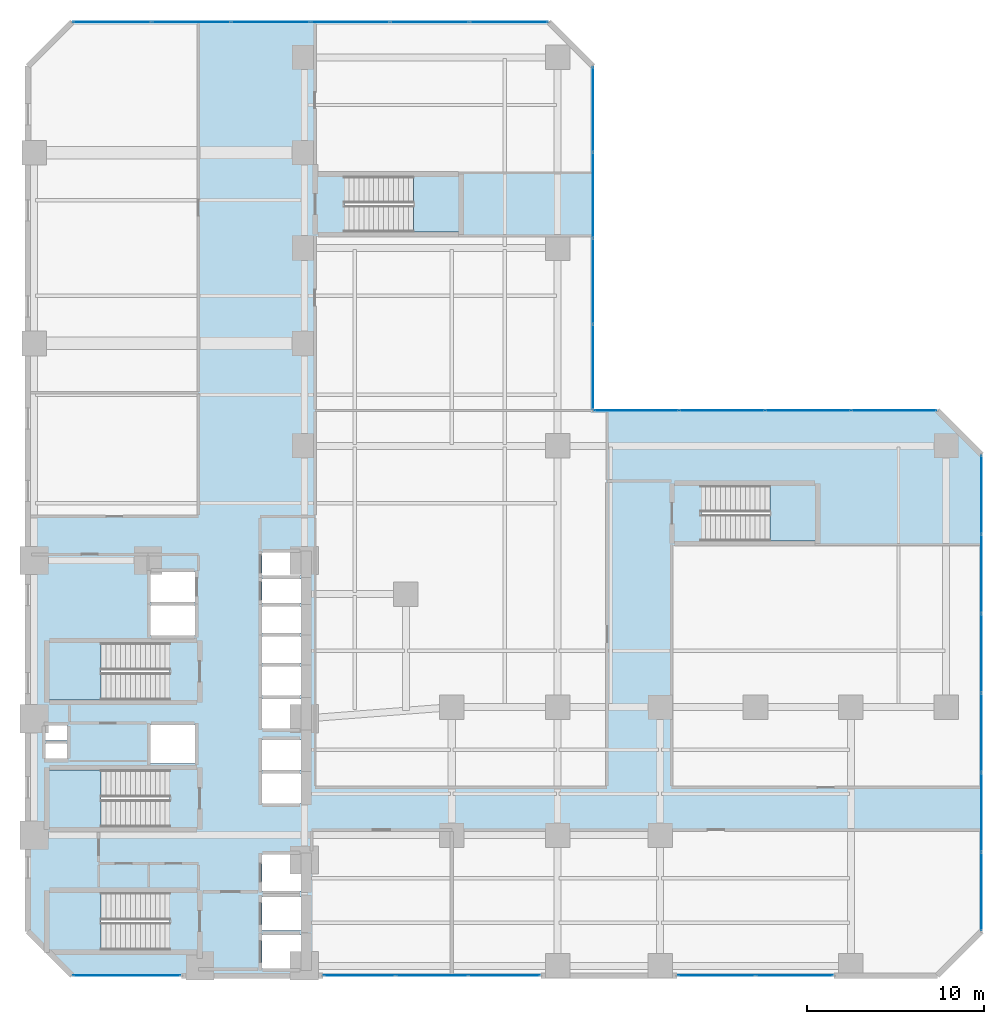
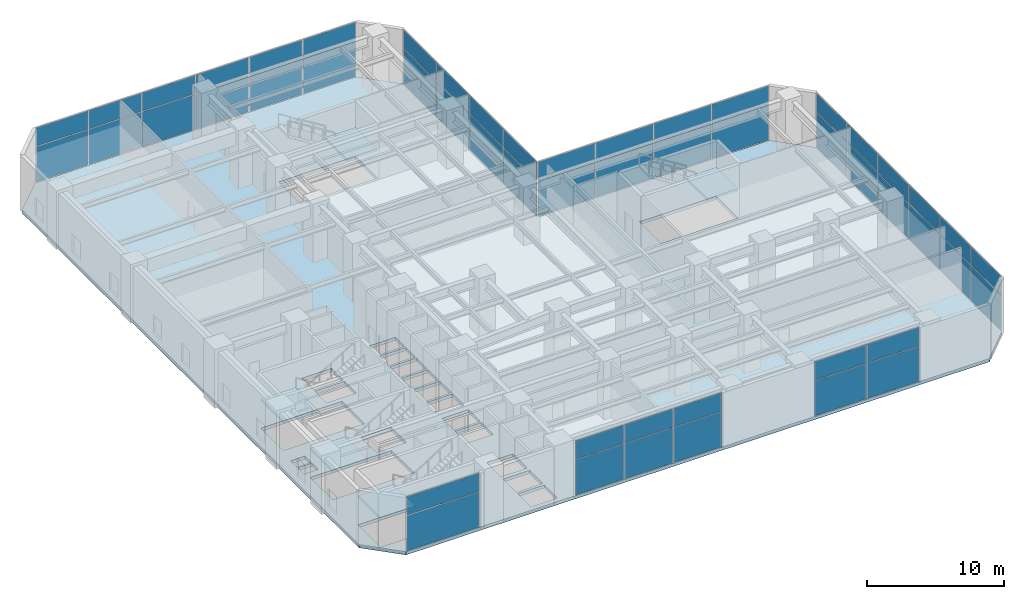
# One storey, part 20 of 29: 52 plates, 6 slabs, 12 elements without a shape of their own.
"""IFC4 building model written with IfcOpenShell, lengths in metres."""

from ifc_helpers import new_model, si_unit, direction, frame, origin, origin_2d, place, context, subcontext, project, spatial, polyline, rectangle, outline, extrude, material, layer, layer_set, type_object, element, aggregate, save


model = new_model("IFC4")

# Units and contexts
model_context = context("Model", 3, precision=1e-05, world=origin(), true_north=direction((0.0, 1.0)))
body_context = subcontext(model_context, "Body", "Model", "MODEL_VIEW")
ifc_project = project(units=[si_unit("LENGTHUNIT", "METRE"), si_unit("AREAUNIT", "SQUARE_METRE"), si_unit("VOLUMEUNIT", "CUBIC_METRE"), si_unit("PLANEANGLEUNIT", "RADIAN"), si_unit("MASSUNIT", "GRAM", prefix="KILO")], contexts=[model_context])

# Site, building, storey
site_placement = place(None, origin())
site = spatial("IfcSite", under=ifc_project, at=site_placement, CompositionType="ELEMENT")
building_placement = place(site_placement, origin())
building = spatial("IfcBuilding", under=site, at=building_placement, Name="Mawjaban Terraces University", CompositionType="ELEMENT")
storey_placement = place(building_placement, frame((0.0, 0.0, 15.60009765625)))
storey = spatial("IfcBuildingStorey", under=building, at=storey_placement, Name="L03", CompositionType="ELEMENT", Elevation=15.60009765625)

# Slab
ifc_material_1 = material(Name="Concrete C40/50", Category="concrete")
ifc_layer_1 = layer(ifc_material_1, 0.280029296875)
ifc_layer_set_1 = layer_set([ifc_layer_1], Name="Concrete C40/50")
slab_type_1 = type_object("IfcSlabType", Name="PodiumSlab_280", PredefinedType="FLOOR", material=ifc_layer_set_1)
slab_1_placement = place(storey_placement, frame((0.0, 0.0, -0.280029296875)))
element("IfcSlab", 1, at=slab_1_placement, inside=storey, type_object=slab_type_1, Name="L03 Primary Structural Slab", PredefinedType="FLOOR", context=body_context, shape_type="SweptSolid", body=[
    extrude(outline(polyline([(24.5, 0.0), (73.5, 0.0), (76.0, 2.5), (76.0, 29.5), (73.5, 32.0), (54.0, 32.0), (54.0, 51.5), (51.5, 54.0), (24.5, 54.0), (22.0, 51.5), (22.0, 2.5), (24.5, 0.0)]), holes=[polyline([(30.014892578125, 4.699951171875), (23.199951171875, 4.699951171875), (23.199951171875, 1.449951171875), (30.014892578125, 1.449951171875), (30.014892578125, 4.699951171875)]), polyline([(30.014892578125, 18.85009765625), (23.199951171875, 18.85009765625), (23.199951171875, 15.60009765625), (30.014892578125, 15.60009765625), (30.014892578125, 18.85009765625)]), polyline([(30.014892578125, 11.64990234375), (23.199951171875, 11.64990234375), (23.199951171875, 8.39990234375), (30.014892578125, 8.39990234375), (30.014892578125, 11.64990234375)]), polyline([(39.93505859375, 42.10009765625), (46.39990234375, 42.10009765625), (46.39990234375, 45.25), (39.93505859375, 45.25), (39.93505859375, 42.10009765625)]), polyline([(60.135009765625, 24.60009765625), (66.60009765625, 24.60009765625), (66.60009765625, 27.75), (60.135009765625, 27.75), (60.135009765625, 24.60009765625)]), polyline([(35.25, 0.39990234375), (37.449951171875, 0.39990234375), (37.449951171875, 2.300048828125), (35.25, 2.300048828125), (35.25, 0.39990234375)]), polyline([(35.25, 2.550048828125), (37.449951171875, 2.550048828125), (37.449951171875, 4.449951171875), (35.25, 4.449951171875), (35.25, 2.550048828125)]), polyline([(35.25, 4.800048828125), (37.449951171875, 4.800048828125), (37.449951171875, 6.85009765625), (35.25, 6.85009765625), (35.25, 4.800048828125)]), polyline([(35.25, 9.75), (37.449951171875, 9.75), (37.449951171875, 11.449951171875), (35.25, 11.449951171875), (35.25, 9.75)]), polyline([(35.25, 11.64990234375), (37.449951171875, 11.64990234375), (37.449951171875, 13.35009765625), (35.25, 13.35009765625), (35.25, 11.64990234375)]), polyline([(28.949951171875, 12.0), (31.449951171875, 12.0), (31.449951171875, 14.199951171875), (28.949951171875, 14.199951171875), (28.949951171875, 12.0)]), polyline([(35.25, 14.0), (37.449951171875, 14.0), (37.449951171875, 15.64990234375), (35.25, 15.64990234375), (35.25, 14.0)]), polyline([(35.25, 15.85009765625), (37.449951171875, 15.85009765625), (37.449951171875, 17.5), (35.25, 17.5), (35.25, 15.85009765625)]), polyline([(35.25, 17.699951171875), (37.449951171875, 17.699951171875), (37.449951171875, 19.199951171875), (35.25, 19.199951171875), (35.25, 17.699951171875)]), polyline([(35.25, 19.39990234375), (37.449951171875, 19.39990234375), (37.449951171875, 20.89990234375), (35.25, 20.89990234375), (35.25, 19.39990234375)]), polyline([(28.949951171875, 19.25), (31.449951171875, 19.25), (31.449951171875, 20.949951171875), (28.949951171875, 20.949951171875), (28.949951171875, 19.25)]), polyline([(35.25, 21.10009765625), (37.449951171875, 21.10009765625), (37.449951171875, 22.449951171875), (35.25, 22.449951171875), (35.25, 21.10009765625)]), polyline([(35.25, 22.64990234375), (37.449951171875, 22.64990234375), (37.449951171875, 23.949951171875), (35.25, 23.949951171875), (35.25, 22.64990234375)]), polyline([(28.949951171875, 21.14990234375), (31.449951171875, 21.14990234375), (31.449951171875, 22.85009765625), (28.949951171875, 22.85009765625), (28.949951171875, 21.14990234375)]), polyline([(23.0, 12.25), (24.199951171875, 12.25), (24.199951171875, 13.14990234375), (23.0, 13.14990234375), (23.0, 12.25)]), polyline([(23.0, 13.300048828125), (24.199951171875, 13.300048828125), (24.199951171875, 14.179931640625), (23.0, 14.179931640625), (23.0, 13.300048828125)])]), origin(), (0.0, 0.0, 1.0), 0.280029296875),
])

# Stair, slab
stair_type_1 = type_object("IfcStairType", Name="Stair_Core1550_H52", PredefinedType="HALF_TURN_STAIR", material=ifc_material_1)
stair_1_placement = place(storey_placement, origin())
stair_1 = element("IfcStair", 2, at=stair_1_placement, inside=storey, type_object=stair_type_1, Name="L03 Core Exit Stair 1", PredefinedType="HALF_TURN_STAIR")
ifc_layer_2 = layer(ifc_material_1, 0.199951171875)
ifc_layer_set_2 = layer_set([ifc_layer_2], Name="Concrete C40/50")
slab_type_2 = type_object("IfcSlabType", Name="StairLandingSlab_200", PredefinedType="LANDING", material=ifc_layer_set_2)
slab_2_placement = place(storey_placement, frame((0.0, 0.0, 2.39990234375)))
slab_2 = element("IfcSlab", 3, at=slab_2_placement, type_object=slab_type_2, Name="ST-1 landing 1", PredefinedType="LANDING", context=body_context, shape_type="SweptSolid", body=[
    extrude(outline(polyline([(26.1298828125, 4.699951171875), (23.199951171875, 4.699951171875), (23.199951171875, 1.449951171875), (26.1298828125, 1.449951171875), (26.1298828125, 4.699951171875)])), origin(), (0.0, 0.0, 1.0), 0.199951171875),
])
aggregate(stair_1, [slab_2])

stair_2_placement = place(storey_placement, origin())
stair_2 = element("IfcStair", 4, at=stair_2_placement, inside=storey, type_object=stair_type_1, Name="L03 Core Exit Stair 2", PredefinedType="HALF_TURN_STAIR")
slab_3_placement = place(storey_placement, frame((0.0, 0.0, 2.39990234375)))
slab_3 = element("IfcSlab", 5, at=slab_3_placement, type_object=slab_type_2, Name="ST-2 landing 1", PredefinedType="LANDING", context=body_context, shape_type="SweptSolid", body=[
    extrude(outline(polyline([(26.1298828125, 18.85009765625), (23.199951171875, 18.85009765625), (23.199951171875, 15.60009765625), (26.1298828125, 15.60009765625), (26.1298828125, 18.85009765625)])), origin(), (0.0, 0.0, 1.0), 0.199951171875),
])
aggregate(stair_2, [slab_3])

stair_3_placement = place(storey_placement, origin())
stair_3 = element("IfcStair", 6, at=stair_3_placement, inside=storey, type_object=stair_type_1, Name="L03 Core Exit Stair 3", PredefinedType="HALF_TURN_STAIR")
slab_4_placement = place(storey_placement, frame((0.0, 0.0, 2.39990234375)))
slab_4 = element("IfcSlab", 7, at=slab_4_placement, type_object=slab_type_2, Name="ST-3 landing 1", PredefinedType="LANDING", context=body_context, shape_type="SweptSolid", body=[
    extrude(outline(polyline([(26.1298828125, 11.64990234375), (23.199951171875, 11.64990234375), (23.199951171875, 8.39990234375), (26.1298828125, 8.39990234375), (26.1298828125, 11.64990234375)])), origin(), (0.0, 0.0, 1.0), 0.199951171875),
])
aggregate(stair_3, [slab_4])

stair_type_2 = type_object("IfcStairType", Name="Stair_Pod1500_H52", PredefinedType="HALF_TURN_STAIR", material=ifc_material_1)
stair_4_placement = place(storey_placement, origin())
stair_4 = element("IfcStair", 8, at=stair_4_placement, inside=storey, type_object=stair_type_2, Name="L03 Podium North Exit Stair 4", PredefinedType="HALF_TURN_STAIR")
slab_5_placement = place(storey_placement, frame((0.0, 0.0, 2.39990234375)))
slab_5 = element("IfcSlab", 9, at=slab_5_placement, type_object=slab_type_2, Name="ST-4 landing 1", PredefinedType="LANDING", context=body_context, shape_type="SweptSolid", body=[
    extrude(outline(polyline([(43.820068359375, 42.10009765625), (46.39990234375, 42.10009765625), (46.39990234375, 45.25), (43.820068359375, 45.25), (43.820068359375, 42.10009765625)])), origin(), (0.0, 0.0, 1.0), 0.199951171875),
])
aggregate(stair_4, [slab_5])

stair_5_placement = place(storey_placement, origin())
stair_5 = element("IfcStair", 10, at=stair_5_placement, inside=storey, type_object=stair_type_2, Name="L03 Podium East Exit Stair 5", PredefinedType="HALF_TURN_STAIR")
slab_6_placement = place(storey_placement, frame((0.0, 0.0, 2.39990234375)))
slab_6 = element("IfcSlab", 11, at=slab_6_placement, type_object=slab_type_2, Name="ST-5 landing 1", PredefinedType="LANDING", context=body_context, shape_type="SweptSolid", body=[
    extrude(outline(polyline([(64.02001953125, 24.60009765625), (66.60009765625, 24.60009765625), (66.60009765625, 27.75), (64.02001953125, 27.75), (64.02001953125, 24.60009765625)])), origin(), (0.0, 0.0, 1.0), 0.199951171875),
])
aggregate(stair_5, [slab_6])

# Curtain wall, plates
ifc_material_2 = material(Name="Anodised aluminium 6063-T6 and solar-control low-E glass", Category="aluminium")
ifc_layer_3 = layer(ifc_material_2, 0.175048828125)
ifc_layer_set_3 = layer_set([ifc_layer_3], Name="Anodised aluminium 6063-T6 and solar-control low-E glass")
curtain_wall_type = type_object("IfcCurtainWallType", Name="CWSystem_02_PodiumLibrary", PredefinedType="NOTDEFINED", material=ifc_layer_set_3)
curtain_wall_1_placement = place(storey_placement, origin())
curtain_wall_1 = element("IfcCurtainWall", 12, at=curtain_wall_1_placement, inside=storey, type_object=curtain_wall_type, Name="L03 Curtain Wall CW-02 Run 1.1", PredefinedType="NOTDEFINED")
ifc_material_3 = material(Name="Low-E solar-control double glazing", Category="glass")
ifc_layer_4 = layer(ifc_material_3, 0.030029296875)
ifc_layer_set_4 = layer_set([ifc_layer_4], Name="Low-E solar-control double glazing")
plate_type = type_object("IfcPlateType", Name="VisionPanel_CW-02", PredefinedType="CURTAIN_PANEL", material=ifc_layer_set_4)
plate_1_placement = place(storey_placement, frame((27.60009765625, 0.0, 0.06005859375), z_axis=(0.0, 0.0, 1.0), x_axis=(1.0, 0.0, 0.0)))
plate_1 = element("IfcPlate", 13, at=plate_1_placement, type_object=plate_type, Name="CW-02 panel 1.1", PredefinedType="CURTAIN_PANEL", context=body_context, shape_type="SweptSolid", body=[
    extrude(rectangle(XDim=6.070068359375, YDim=0.028076171875, at=origin_2d()), origin(), (0.0, 0.0, 1.0), 3.10791015625),
])
plate_2_placement = place(storey_placement, frame((27.60009765625, 0.0, 3.22802734375), z_axis=(0.0, 0.0, 1.0), x_axis=(1.0, 0.0, 0.0)))
plate_2 = element("IfcPlate", 14, at=plate_2_placement, type_object=plate_type, Name="CW-02 panel 1.2", PredefinedType="CURTAIN_PANEL", context=body_context, shape_type="SweptSolid", body=[
    extrude(rectangle(XDim=6.070068359375, YDim=0.028076171875, at=origin_2d()), origin(), (0.0, 0.0, 1.0), 1.632080078125),
])
aggregate(curtain_wall_1, [plate_1, plate_2])

curtain_wall_2_placement = place(storey_placement, origin())
curtain_wall_2 = element("IfcCurtainWall", 15, at=curtain_wall_2_placement, inside=storey, type_object=curtain_wall_type, Name="L03 Curtain Wall CW-02 Run 1.2", PredefinedType="NOTDEFINED")
plate_3_placement = place(storey_placement, frame((40.774658203125, 0.0, 0.06005859375), z_axis=(0.0, 0.0, 1.0), x_axis=(1.0, 0.0, 0.0)))
plate_3 = element("IfcPlate", 16, at=plate_3_placement, type_object=plate_type, Name="CW-02 panel 1.1", PredefinedType="CURTAIN_PANEL", context=body_context, shape_type="SweptSolid", body=[
    extrude(rectangle(XDim=4.019287109375, YDim=0.028076171875, at=origin_2d()), origin(), (0.0, 0.0, 1.0), 3.10791015625),
])
plate_4_placement = place(storey_placement, frame((40.774658203125, 0.0, 3.22802734375), z_axis=(0.0, 0.0, 1.0), x_axis=(1.0, 0.0, 0.0)))
plate_4 = element("IfcPlate", 17, at=plate_4_placement, type_object=plate_type, Name="CW-02 panel 1.2", PredefinedType="CURTAIN_PANEL", context=body_context, shape_type="SweptSolid", body=[
    extrude(rectangle(XDim=4.019287109375, YDim=0.028076171875, at=origin_2d()), origin(), (0.0, 0.0, 1.0), 1.632080078125),
])
plate_5_placement = place(storey_placement, frame((44.875, 0.0, 0.06005859375), z_axis=(0.0, 0.0, 1.0), x_axis=(1.0, 0.0, 0.0)))
plate_5 = element("IfcPlate", 18, at=plate_5_placement, type_object=plate_type, Name="CW-02 panel 2.1", PredefinedType="CURTAIN_PANEL", context=body_context, shape_type="SweptSolid", body=[
    extrude(rectangle(XDim=4.0517578125, YDim=0.028076171875, at=origin_2d()), origin(), (0.0, 0.0, 1.0), 3.10791015625),
])
plate_6_placement = place(storey_placement, frame((44.875, 0.0, 3.22802734375), z_axis=(0.0, 0.0, 1.0), x_axis=(1.0, 0.0, 0.0)))
plate_6 = element("IfcPlate", 19, at=plate_6_placement, type_object=plate_type, Name="CW-02 panel 2.2", PredefinedType="CURTAIN_PANEL", context=body_context, shape_type="SweptSolid", body=[
    extrude(rectangle(XDim=4.0517578125, YDim=0.028076171875, at=origin_2d()), origin(), (0.0, 0.0, 1.0), 1.632080078125),
])
plate_7_placement = place(storey_placement, frame((48.975341796875, 0.0, 0.06005859375), z_axis=(0.0, 0.0, 1.0), x_axis=(1.0, 0.0, 0.0)))
plate_7 = element("IfcPlate", 20, at=plate_7_placement, type_object=plate_type, Name="CW-02 panel 3.1", PredefinedType="CURTAIN_PANEL", context=body_context, shape_type="SweptSolid", body=[
    extrude(rectangle(XDim=4.019287109375, YDim=0.028076171875, at=origin_2d()), origin(), (0.0, 0.0, 1.0), 3.10791015625),
])
plate_8_placement = place(storey_placement, frame((48.975341796875, 0.0, 3.22802734375), z_axis=(0.0, 0.0, 1.0), x_axis=(1.0, 0.0, 0.0)))
plate_8 = element("IfcPlate", 21, at=plate_8_placement, type_object=plate_type, Name="CW-02 panel 3.2", PredefinedType="CURTAIN_PANEL", context=body_context, shape_type="SweptSolid", body=[
    extrude(rectangle(XDim=4.019287109375, YDim=0.028076171875, at=origin_2d()), origin(), (0.0, 0.0, 1.0), 1.632080078125),
])
aggregate(curtain_wall_2, [plate_3, plate_4, plate_5, plate_6, plate_7, plate_8])

curtain_wall_3_placement = place(storey_placement, origin())
curtain_wall_3 = element("IfcCurtainWall", 22, at=curtain_wall_3_placement, inside=storey, type_object=curtain_wall_type, Name="L03 Curtain Wall CW-02 Run 1.3", PredefinedType="NOTDEFINED")
plate_9_placement = place(storey_placement, frame((60.9912109375, 0.0, 0.06005859375), z_axis=(0.0, 0.0, 1.0), x_axis=(1.0, 0.0, 0.0)))
plate_9 = element("IfcPlate", 23, at=plate_9_placement, type_object=plate_type, Name="CW-02 panel 1.1", PredefinedType="CURTAIN_PANEL", context=body_context, shape_type="SweptSolid", body=[
    extrude(rectangle(XDim=4.3525390625, YDim=0.028076171875, at=origin_2d()), origin(), (0.0, 0.0, 1.0), 3.10791015625),
])
plate_10_placement = place(storey_placement, frame((60.9912109375, 0.0, 3.22802734375), z_axis=(0.0, 0.0, 1.0), x_axis=(1.0, 0.0, 0.0)))
plate_10 = element("IfcPlate", 24, at=plate_10_placement, type_object=plate_type, Name="CW-02 panel 1.2", PredefinedType="CURTAIN_PANEL", context=body_context, shape_type="SweptSolid", body=[
    extrude(rectangle(XDim=4.3525390625, YDim=0.028076171875, at=origin_2d()), origin(), (0.0, 0.0, 1.0), 1.632080078125),
])
plate_11_placement = place(storey_placement, frame((65.40869140625, 0.0, 0.06005859375), z_axis=(0.0, 0.0, 1.0), x_axis=(1.0, 0.0, 0.0)))
plate_11 = element("IfcPlate", 25, at=plate_11_placement, type_object=plate_type, Name="CW-02 panel 2.1", PredefinedType="CURTAIN_PANEL", context=body_context, shape_type="SweptSolid", body=[
    extrude(rectangle(XDim=4.3525390625, YDim=0.028076171875, at=origin_2d()), origin(), (0.0, 0.0, 1.0), 3.10791015625),
])
plate_12_placement = place(storey_placement, frame((65.40869140625, 0.0, 3.22802734375), z_axis=(0.0, 0.0, 1.0), x_axis=(1.0, 0.0, 0.0)))
plate_12 = element("IfcPlate", 26, at=plate_12_placement, type_object=plate_type, Name="CW-02 panel 2.2", PredefinedType="CURTAIN_PANEL", context=body_context, shape_type="SweptSolid", body=[
    extrude(rectangle(XDim=4.3525390625, YDim=0.028076171875, at=origin_2d()), origin(), (0.0, 0.0, 1.0), 1.632080078125),
])
aggregate(curtain_wall_3, [plate_9, plate_10, plate_11, plate_12])

curtain_wall_4_placement = place(storey_placement, origin())
curtain_wall_4 = element("IfcCurtainWall", 27, at=curtain_wall_4_placement, inside=storey, type_object=curtain_wall_type, Name="L03 Curtain Wall CW-02 Run 3.1", PredefinedType="NOTDEFINED")
plate_13_placement = place(storey_placement, frame((76.0, 4.766357421875, 0.06005859375), z_axis=(0.0, 0.0, 1.0), x_axis=(0.0, 1.0, 0.0)))
plate_13 = element("IfcPlate", 28, at=plate_13_placement, type_object=plate_type, Name="CW-02 panel 1.1", PredefinedType="CURTAIN_PANEL", context=body_context, shape_type="SweptSolid", body=[
    extrude(rectangle(XDim=4.402587890625, YDim=0.028076171875, at=origin_2d()), origin(), (0.0, 0.0, 1.0), 3.10791015625),
])
plate_14_placement = place(storey_placement, frame((76.0, 4.766357421875, 3.22802734375), z_axis=(0.0, 0.0, 1.0), x_axis=(0.0, 1.0, 0.0)))
plate_14 = element("IfcPlate", 29, at=plate_14_placement, type_object=plate_type, Name="CW-02 panel 1.2", PredefinedType="CURTAIN_PANEL", context=body_context, shape_type="SweptSolid", body=[
    extrude(rectangle(XDim=4.402587890625, YDim=0.028076171875, at=origin_2d()), origin(), (0.0, 0.0, 1.0), 1.632080078125),
])
plate_15_placement = place(storey_placement, frame((76.0, 9.25, 0.06005859375), z_axis=(0.0, 0.0, 1.0), x_axis=(0.0, 1.0, 0.0)))
plate_15 = element("IfcPlate", 30, at=plate_15_placement, type_object=plate_type, Name="CW-02 panel 2.1", PredefinedType="CURTAIN_PANEL", context=body_context, shape_type="SweptSolid", body=[
    extrude(rectangle(XDim=4.43505859375, YDim=0.028076171875, at=origin_2d()), origin(), (0.0, 0.0, 1.0), 3.10791015625),
])
plate_16_placement = place(storey_placement, frame((76.0, 9.25, 3.22802734375), z_axis=(0.0, 0.0, 1.0), x_axis=(0.0, 1.0, 0.0)))
plate_16 = element("IfcPlate", 31, at=plate_16_placement, type_object=plate_type, Name="CW-02 panel 2.2", PredefinedType="CURTAIN_PANEL", context=body_context, shape_type="SweptSolid", body=[
    extrude(rectangle(XDim=4.43505859375, YDim=0.028076171875, at=origin_2d()), origin(), (0.0, 0.0, 1.0), 1.632080078125),
])
plate_17_placement = place(storey_placement, frame((76.0, 13.75, 0.06005859375), z_axis=(0.0, 0.0, 1.0), x_axis=(0.0, 1.0, 0.0)))
plate_17 = element("IfcPlate", 32, at=plate_17_placement, type_object=plate_type, Name="CW-02 panel 3.1", PredefinedType="CURTAIN_PANEL", context=body_context, shape_type="SweptSolid", body=[
    extrude(rectangle(XDim=4.43505859375, YDim=0.028076171875, at=origin_2d()), origin(), (0.0, 0.0, 1.0), 3.10791015625),
])
plate_18_placement = place(storey_placement, frame((76.0, 13.75, 3.22802734375), z_axis=(0.0, 0.0, 1.0), x_axis=(0.0, 1.0, 0.0)))
plate_18 = element("IfcPlate", 33, at=plate_18_placement, type_object=plate_type, Name="CW-02 panel 3.2", PredefinedType="CURTAIN_PANEL", context=body_context, shape_type="SweptSolid", body=[
    extrude(rectangle(XDim=4.43505859375, YDim=0.028076171875, at=origin_2d()), origin(), (0.0, 0.0, 1.0), 1.632080078125),
])
plate_19_placement = place(storey_placement, frame((76.0, 18.25, 0.06005859375), z_axis=(0.0, 0.0, 1.0), x_axis=(0.0, 1.0, 0.0)))
plate_19 = element("IfcPlate", 34, at=plate_19_placement, type_object=plate_type, Name="CW-02 panel 4.1", PredefinedType="CURTAIN_PANEL", context=body_context, shape_type="SweptSolid", body=[
    extrude(rectangle(XDim=4.43505859375, YDim=0.028076171875, at=origin_2d()), origin(), (0.0, 0.0, 1.0), 3.10791015625),
])
plate_20_placement = place(storey_placement, frame((76.0, 18.25, 3.22802734375), z_axis=(0.0, 0.0, 1.0), x_axis=(0.0, 1.0, 0.0)))
plate_20 = element("IfcPlate", 35, at=plate_20_placement, type_object=plate_type, Name="CW-02 panel 4.2", PredefinedType="CURTAIN_PANEL", context=body_context, shape_type="SweptSolid", body=[
    extrude(rectangle(XDim=4.43505859375, YDim=0.028076171875, at=origin_2d()), origin(), (0.0, 0.0, 1.0), 1.632080078125),
])
plate_21_placement = place(storey_placement, frame((76.0, 22.75, 0.06005859375), z_axis=(0.0, 0.0, 1.0), x_axis=(0.0, 1.0, 0.0)))
plate_21 = element("IfcPlate", 36, at=plate_21_placement, type_object=plate_type, Name="CW-02 panel 5.1", PredefinedType="CURTAIN_PANEL", context=body_context, shape_type="SweptSolid", body=[
    extrude(rectangle(XDim=4.43505859375, YDim=0.028076171875, at=origin_2d()), origin(), (0.0, 0.0, 1.0), 3.10791015625),
])
plate_22_placement = place(storey_placement, frame((76.0, 22.75, 3.22802734375), z_axis=(0.0, 0.0, 1.0), x_axis=(0.0, 1.0, 0.0)))
plate_22 = element("IfcPlate", 37, at=plate_22_placement, type_object=plate_type, Name="CW-02 panel 5.2", PredefinedType="CURTAIN_PANEL", context=body_context, shape_type="SweptSolid", body=[
    extrude(rectangle(XDim=4.43505859375, YDim=0.028076171875, at=origin_2d()), origin(), (0.0, 0.0, 1.0), 1.632080078125),
])
plate_23_placement = place(storey_placement, frame((76.0, 27.233642578125, 0.06005859375), z_axis=(0.0, 0.0, 1.0), x_axis=(0.0, 1.0, 0.0)))
plate_23 = element("IfcPlate", 38, at=plate_23_placement, type_object=plate_type, Name="CW-02 panel 6.1", PredefinedType="CURTAIN_PANEL", context=body_context, shape_type="SweptSolid", body=[
    extrude(rectangle(XDim=4.402587890625, YDim=0.028076171875, at=origin_2d()), origin(), (0.0, 0.0, 1.0), 3.10791015625),
])
plate_24_placement = place(storey_placement, frame((76.0, 27.233642578125, 3.22802734375), z_axis=(0.0, 0.0, 1.0), x_axis=(0.0, 1.0, 0.0)))
plate_24 = element("IfcPlate", 39, at=plate_24_placement, type_object=plate_type, Name="CW-02 panel 6.2", PredefinedType="CURTAIN_PANEL", context=body_context, shape_type="SweptSolid", body=[
    extrude(rectangle(XDim=4.402587890625, YDim=0.028076171875, at=origin_2d()), origin(), (0.0, 0.0, 1.0), 1.632080078125),
])
aggregate(curtain_wall_4, [plate_13, plate_14, plate_15, plate_16, plate_17, plate_18, plate_19, plate_20, plate_21, plate_22, plate_23, plate_24])

curtain_wall_5_placement = place(storey_placement, origin())
curtain_wall_5 = element("IfcCurtainWall", 40, at=curtain_wall_5_placement, inside=storey, type_object=curtain_wall_type, Name="L03 Curtain Wall CW-02 Run 5.1", PredefinedType="NOTDEFINED")
plate_25_placement = place(storey_placement, frame((71.046142578125, 32.0, 0.06005859375), z_axis=(0.0, 0.0, 1.0), x_axis=(-1.0, 0.0, 0.0)))
plate_25 = element("IfcPlate", 41, at=plate_25_placement, type_object=plate_type, Name="CW-02 panel 1.1", PredefinedType="CURTAIN_PANEL", context=body_context, shape_type="SweptSolid", body=[
    extrude(rectangle(XDim=4.777587890625, YDim=0.028076171875, at=origin_2d()), origin(), (0.0, 0.0, 1.0), 3.10791015625),
])
plate_26_placement = place(storey_placement, frame((71.046142578125, 32.0, 3.22802734375), z_axis=(0.0, 0.0, 1.0), x_axis=(-1.0, 0.0, 0.0)))
plate_26 = element("IfcPlate", 42, at=plate_26_placement, type_object=plate_type, Name="CW-02 panel 1.2", PredefinedType="CURTAIN_PANEL", context=body_context, shape_type="SweptSolid", body=[
    extrude(rectangle(XDim=4.777587890625, YDim=0.028076171875, at=origin_2d()), origin(), (0.0, 0.0, 1.0), 1.632080078125),
])
plate_27_placement = place(storey_placement, frame((66.1875, 32.0, 0.06005859375), z_axis=(0.0, 0.0, 1.0), x_axis=(-1.0, 0.0, 0.0)))
plate_27 = element("IfcPlate", 43, at=plate_27_placement, type_object=plate_type, Name="CW-02 panel 2.1", PredefinedType="CURTAIN_PANEL", context=body_context, shape_type="SweptSolid", body=[
    extrude(rectangle(XDim=4.81005859375, YDim=0.028076171875, at=origin_2d()), origin(), (0.0, 0.0, 1.0), 3.10791015625),
])
plate_28_placement = place(storey_placement, frame((66.1875, 32.0, 3.22802734375), z_axis=(0.0, 0.0, 1.0), x_axis=(-1.0, 0.0, 0.0)))
plate_28 = element("IfcPlate", 44, at=plate_28_placement, type_object=plate_type, Name="CW-02 panel 2.2", PredefinedType="CURTAIN_PANEL", context=body_context, shape_type="SweptSolid", body=[
    extrude(rectangle(XDim=4.81005859375, YDim=0.028076171875, at=origin_2d()), origin(), (0.0, 0.0, 1.0), 1.632080078125),
])
plate_29_placement = place(storey_placement, frame((61.3125, 32.0, 0.06005859375), z_axis=(0.0, 0.0, 1.0), x_axis=(-1.0, 0.0, 0.0)))
plate_29 = element("IfcPlate", 45, at=plate_29_placement, type_object=plate_type, Name="CW-02 panel 3.1", PredefinedType="CURTAIN_PANEL", context=body_context, shape_type="SweptSolid", body=[
    extrude(rectangle(XDim=4.81005859375, YDim=0.028076171875, at=origin_2d()), origin(), (0.0, 0.0, 1.0), 3.10791015625),
])
plate_30_placement = place(storey_placement, frame((61.3125, 32.0, 3.22802734375), z_axis=(0.0, 0.0, 1.0), x_axis=(-1.0, 0.0, 0.0)))
plate_30 = element("IfcPlate", 46, at=plate_30_placement, type_object=plate_type, Name="CW-02 panel 3.2", PredefinedType="CURTAIN_PANEL", context=body_context, shape_type="SweptSolid", body=[
    extrude(rectangle(XDim=4.81005859375, YDim=0.028076171875, at=origin_2d()), origin(), (0.0, 0.0, 1.0), 1.632080078125),
])
plate_31_placement = place(storey_placement, frame((56.453857421875, 32.0, 0.06005859375), z_axis=(0.0, 0.0, 1.0), x_axis=(-1.0, 0.0, 0.0)))
plate_31 = element("IfcPlate", 47, at=plate_31_placement, type_object=plate_type, Name="CW-02 panel 4.1", PredefinedType="CURTAIN_PANEL", context=body_context, shape_type="SweptSolid", body=[
    extrude(rectangle(XDim=4.777587890625, YDim=0.028076171875, at=origin_2d()), origin(), (0.0, 0.0, 1.0), 3.10791015625),
])
plate_32_placement = place(storey_placement, frame((56.453857421875, 32.0, 3.22802734375), z_axis=(0.0, 0.0, 1.0), x_axis=(-1.0, 0.0, 0.0)))
plate_32 = element("IfcPlate", 48, at=plate_32_placement, type_object=plate_type, Name="CW-02 panel 4.2", PredefinedType="CURTAIN_PANEL", context=body_context, shape_type="SweptSolid", body=[
    extrude(rectangle(XDim=4.777587890625, YDim=0.028076171875, at=origin_2d()), origin(), (0.0, 0.0, 1.0), 1.632080078125),
])
aggregate(curtain_wall_5, [plate_25, plate_26, plate_27, plate_28, plate_29, plate_30, plate_31, plate_32])

curtain_wall_6_placement = place(storey_placement, origin())
curtain_wall_6 = element("IfcCurtainWall", 49, at=curtain_wall_6_placement, inside=storey, type_object=curtain_wall_type, Name="L03 Curtain Wall CW-02 Run 6.1", PredefinedType="NOTDEFINED")
plate_33_placement = place(storey_placement, frame((54.0, 34.453857421875, 0.06005859375), z_axis=(0.0, 0.0, 1.0), x_axis=(0.0, 1.0, 0.0)))
plate_33 = element("IfcPlate", 50, at=plate_33_placement, type_object=plate_type, Name="CW-02 panel 1.1", PredefinedType="CURTAIN_PANEL", context=body_context, shape_type="SweptSolid", body=[
    extrude(rectangle(XDim=4.777587890625, YDim=0.028076171875, at=origin_2d()), origin(), (0.0, 0.0, 1.0), 3.10791015625),
])
plate_34_placement = place(storey_placement, frame((54.0, 34.453857421875, 3.22802734375), z_axis=(0.0, 0.0, 1.0), x_axis=(0.0, 1.0, 0.0)))
plate_34 = element("IfcPlate", 51, at=plate_34_placement, type_object=plate_type, Name="CW-02 panel 1.2", PredefinedType="CURTAIN_PANEL", context=body_context, shape_type="SweptSolid", body=[
    extrude(rectangle(XDim=4.777587890625, YDim=0.028076171875, at=origin_2d()), origin(), (0.0, 0.0, 1.0), 1.632080078125),
])
plate_35_placement = place(storey_placement, frame((54.0, 39.3125, 0.06005859375), z_axis=(0.0, 0.0, 1.0), x_axis=(0.0, 1.0, 0.0)))
plate_35 = element("IfcPlate", 52, at=plate_35_placement, type_object=plate_type, Name="CW-02 panel 2.1", PredefinedType="CURTAIN_PANEL", context=body_context, shape_type="SweptSolid", body=[
    extrude(rectangle(XDim=4.81005859375, YDim=0.028076171875, at=origin_2d()), origin(), (0.0, 0.0, 1.0), 3.10791015625),
])
plate_36_placement = place(storey_placement, frame((54.0, 39.3125, 3.22802734375), z_axis=(0.0, 0.0, 1.0), x_axis=(0.0, 1.0, 0.0)))
plate_36 = element("IfcPlate", 53, at=plate_36_placement, type_object=plate_type, Name="CW-02 panel 2.2", PredefinedType="CURTAIN_PANEL", context=body_context, shape_type="SweptSolid", body=[
    extrude(rectangle(XDim=4.81005859375, YDim=0.028076171875, at=origin_2d()), origin(), (0.0, 0.0, 1.0), 1.632080078125),
])
plate_37_placement = place(storey_placement, frame((54.0, 44.1875, 0.06005859375), z_axis=(0.0, 0.0, 1.0), x_axis=(0.0, 1.0, 0.0)))
plate_37 = element("IfcPlate", 54, at=plate_37_placement, type_object=plate_type, Name="CW-02 panel 3.1", PredefinedType="CURTAIN_PANEL", context=body_context, shape_type="SweptSolid", body=[
    extrude(rectangle(XDim=4.81005859375, YDim=0.028076171875, at=origin_2d()), origin(), (0.0, 0.0, 1.0), 3.10791015625),
])
plate_38_placement = place(storey_placement, frame((54.0, 44.1875, 3.22802734375), z_axis=(0.0, 0.0, 1.0), x_axis=(0.0, 1.0, 0.0)))
plate_38 = element("IfcPlate", 55, at=plate_38_placement, type_object=plate_type, Name="CW-02 panel 3.2", PredefinedType="CURTAIN_PANEL", context=body_context, shape_type="SweptSolid", body=[
    extrude(rectangle(XDim=4.81005859375, YDim=0.028076171875, at=origin_2d()), origin(), (0.0, 0.0, 1.0), 1.632080078125),
])
plate_39_placement = place(storey_placement, frame((54.0, 49.046142578125, 0.06005859375), z_axis=(0.0, 0.0, 1.0), x_axis=(0.0, 1.0, 0.0)))
plate_39 = element("IfcPlate", 56, at=plate_39_placement, type_object=plate_type, Name="CW-02 panel 4.1", PredefinedType="CURTAIN_PANEL", context=body_context, shape_type="SweptSolid", body=[
    extrude(rectangle(XDim=4.777587890625, YDim=0.028076171875, at=origin_2d()), origin(), (0.0, 0.0, 1.0), 3.10791015625),
])
plate_40_placement = place(storey_placement, frame((54.0, 49.046142578125, 3.22802734375), z_axis=(0.0, 0.0, 1.0), x_axis=(0.0, 1.0, 0.0)))
plate_40 = element("IfcPlate", 57, at=plate_40_placement, type_object=plate_type, Name="CW-02 panel 4.2", PredefinedType="CURTAIN_PANEL", context=body_context, shape_type="SweptSolid", body=[
    extrude(rectangle(XDim=4.777587890625, YDim=0.028076171875, at=origin_2d()), origin(), (0.0, 0.0, 1.0), 1.632080078125),
])
aggregate(curtain_wall_6, [plate_33, plate_34, plate_35, plate_36, plate_37, plate_38, plate_39, plate_40])

curtain_wall_7_placement = place(storey_placement, origin())
curtain_wall_7 = element("IfcCurtainWall", 58, at=curtain_wall_7_placement, inside=storey, type_object=curtain_wall_type, Name="L03 Curtain Wall CW-02 Run 8.1", PredefinedType="NOTDEFINED")
plate_41_placement = place(storey_placement, frame((49.233642578125, 54.0, 0.06005859375), z_axis=(0.0, 0.0, 1.0), x_axis=(-1.0, 0.0, 0.0)))
plate_41 = element("IfcPlate", 59, at=plate_41_placement, type_object=plate_type, Name="CW-02 panel 1.1", PredefinedType="CURTAIN_PANEL", context=body_context, shape_type="SweptSolid", body=[
    extrude(rectangle(XDim=4.402587890625, YDim=0.028076171875, at=origin_2d()), origin(), (0.0, 0.0, 1.0), 3.10791015625),
])
plate_42_placement = place(storey_placement, frame((49.233642578125, 54.0, 3.22802734375), z_axis=(0.0, 0.0, 1.0), x_axis=(-1.0, 0.0, 0.0)))
plate_42 = element("IfcPlate", 60, at=plate_42_placement, type_object=plate_type, Name="CW-02 panel 1.2", PredefinedType="CURTAIN_PANEL", context=body_context, shape_type="SweptSolid", body=[
    extrude(rectangle(XDim=4.402587890625, YDim=0.028076171875, at=origin_2d()), origin(), (0.0, 0.0, 1.0), 1.632080078125),
])
plate_43_placement = place(storey_placement, frame((44.75, 54.0, 0.06005859375), z_axis=(0.0, 0.0, 1.0), x_axis=(-1.0, 0.0, 0.0)))
plate_43 = element("IfcPlate", 61, at=plate_43_placement, type_object=plate_type, Name="CW-02 panel 2.1", PredefinedType="CURTAIN_PANEL", context=body_context, shape_type="SweptSolid", body=[
    extrude(rectangle(XDim=4.43505859375, YDim=0.028076171875, at=origin_2d()), origin(), (0.0, 0.0, 1.0), 3.10791015625),
])
plate_44_placement = place(storey_placement, frame((44.75, 54.0, 3.22802734375), z_axis=(0.0, 0.0, 1.0), x_axis=(-1.0, 0.0, 0.0)))
plate_44 = element("IfcPlate", 62, at=plate_44_placement, type_object=plate_type, Name="CW-02 panel 2.2", PredefinedType="CURTAIN_PANEL", context=body_context, shape_type="SweptSolid", body=[
    extrude(rectangle(XDim=4.43505859375, YDim=0.028076171875, at=origin_2d()), origin(), (0.0, 0.0, 1.0), 1.632080078125),
])
plate_45_placement = place(storey_placement, frame((40.25, 54.0, 0.06005859375), z_axis=(0.0, 0.0, 1.0), x_axis=(-1.0, 0.0, 0.0)))
plate_45 = element("IfcPlate", 63, at=plate_45_placement, type_object=plate_type, Name="CW-02 panel 3.1", PredefinedType="CURTAIN_PANEL", context=body_context, shape_type="SweptSolid", body=[
    extrude(rectangle(XDim=4.43505859375, YDim=0.028076171875, at=origin_2d()), origin(), (0.0, 0.0, 1.0), 3.10791015625),
])
plate_46_placement = place(storey_placement, frame((40.25, 54.0, 3.22802734375), z_axis=(0.0, 0.0, 1.0), x_axis=(-1.0, 0.0, 0.0)))
plate_46 = element("IfcPlate", 64, at=plate_46_placement, type_object=plate_type, Name="CW-02 panel 3.2", PredefinedType="CURTAIN_PANEL", context=body_context, shape_type="SweptSolid", body=[
    extrude(rectangle(XDim=4.43505859375, YDim=0.028076171875, at=origin_2d()), origin(), (0.0, 0.0, 1.0), 1.632080078125),
])
plate_47_placement = place(storey_placement, frame((35.75, 54.0, 0.06005859375), z_axis=(0.0, 0.0, 1.0), x_axis=(-1.0, 0.0, 0.0)))
plate_47 = element("IfcPlate", 65, at=plate_47_placement, type_object=plate_type, Name="CW-02 panel 4.1", PredefinedType="CURTAIN_PANEL", context=body_context, shape_type="SweptSolid", body=[
    extrude(rectangle(XDim=4.43505859375, YDim=0.028076171875, at=origin_2d()), origin(), (0.0, 0.0, 1.0), 3.10791015625),
])
plate_48_placement = place(storey_placement, frame((35.75, 54.0, 3.22802734375), z_axis=(0.0, 0.0, 1.0), x_axis=(-1.0, 0.0, 0.0)))
plate_48 = element("IfcPlate", 66, at=plate_48_placement, type_object=plate_type, Name="CW-02 panel 4.2", PredefinedType="CURTAIN_PANEL", context=body_context, shape_type="SweptSolid", body=[
    extrude(rectangle(XDim=4.43505859375, YDim=0.028076171875, at=origin_2d()), origin(), (0.0, 0.0, 1.0), 1.632080078125),
])
plate_49_placement = place(storey_placement, frame((31.25, 54.0, 0.06005859375), z_axis=(0.0, 0.0, 1.0), x_axis=(-1.0, 0.0, 0.0)))
plate_49 = element("IfcPlate", 67, at=plate_49_placement, type_object=plate_type, Name="CW-02 panel 5.1", PredefinedType="CURTAIN_PANEL", context=body_context, shape_type="SweptSolid", body=[
    extrude(rectangle(XDim=4.43505859375, YDim=0.028076171875, at=origin_2d()), origin(), (0.0, 0.0, 1.0), 3.10791015625),
])
plate_50_placement = place(storey_placement, frame((31.25, 54.0, 3.22802734375), z_axis=(0.0, 0.0, 1.0), x_axis=(-1.0, 0.0, 0.0)))
plate_50 = element("IfcPlate", 68, at=plate_50_placement, type_object=plate_type, Name="CW-02 panel 5.2", PredefinedType="CURTAIN_PANEL", context=body_context, shape_type="SweptSolid", body=[
    extrude(rectangle(XDim=4.43505859375, YDim=0.028076171875, at=origin_2d()), origin(), (0.0, 0.0, 1.0), 1.632080078125),
])
plate_51_placement = place(storey_placement, frame((26.766357421875, 54.0, 0.06005859375), z_axis=(0.0, 0.0, 1.0), x_axis=(-1.0, 0.0, 0.0)))
plate_51 = element("IfcPlate", 69, at=plate_51_placement, type_object=plate_type, Name="CW-02 panel 6.1", PredefinedType="CURTAIN_PANEL", context=body_context, shape_type="SweptSolid", body=[
    extrude(rectangle(XDim=4.402587890625, YDim=0.028076171875, at=origin_2d()), origin(), (0.0, 0.0, 1.0), 3.10791015625),
])
plate_52_placement = place(storey_placement, frame((26.766357421875, 54.0, 3.22802734375), z_axis=(0.0, 0.0, 1.0), x_axis=(-1.0, 0.0, 0.0)))
plate_52 = element("IfcPlate", 70, at=plate_52_placement, type_object=plate_type, Name="CW-02 panel 6.2", PredefinedType="CURTAIN_PANEL", context=body_context, shape_type="SweptSolid", body=[
    extrude(rectangle(XDim=4.402587890625, YDim=0.028076171875, at=origin_2d()), origin(), (0.0, 0.0, 1.0), 1.632080078125),
])
aggregate(curtain_wall_7, [plate_41, plate_42, plate_43, plate_44, plate_45, plate_46, plate_47, plate_48, plate_49, plate_50, plate_51, plate_52])

save(model, "model.ifc")
